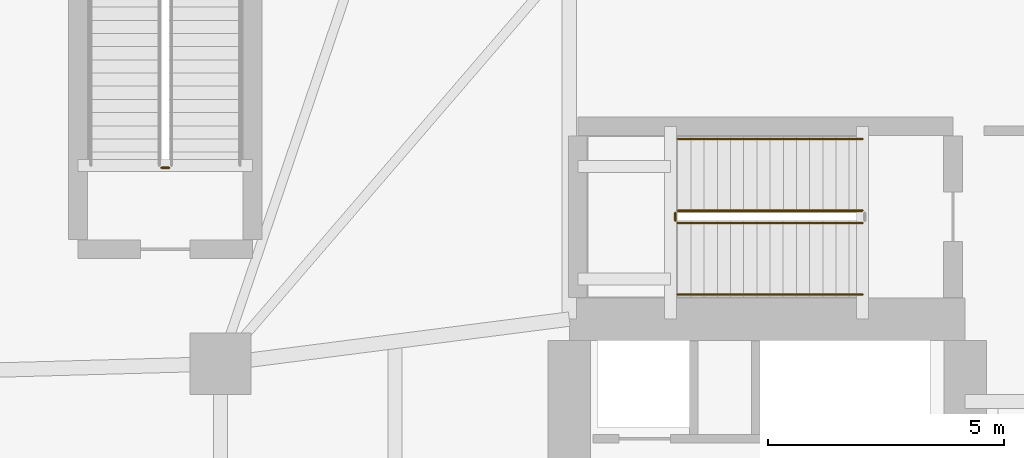
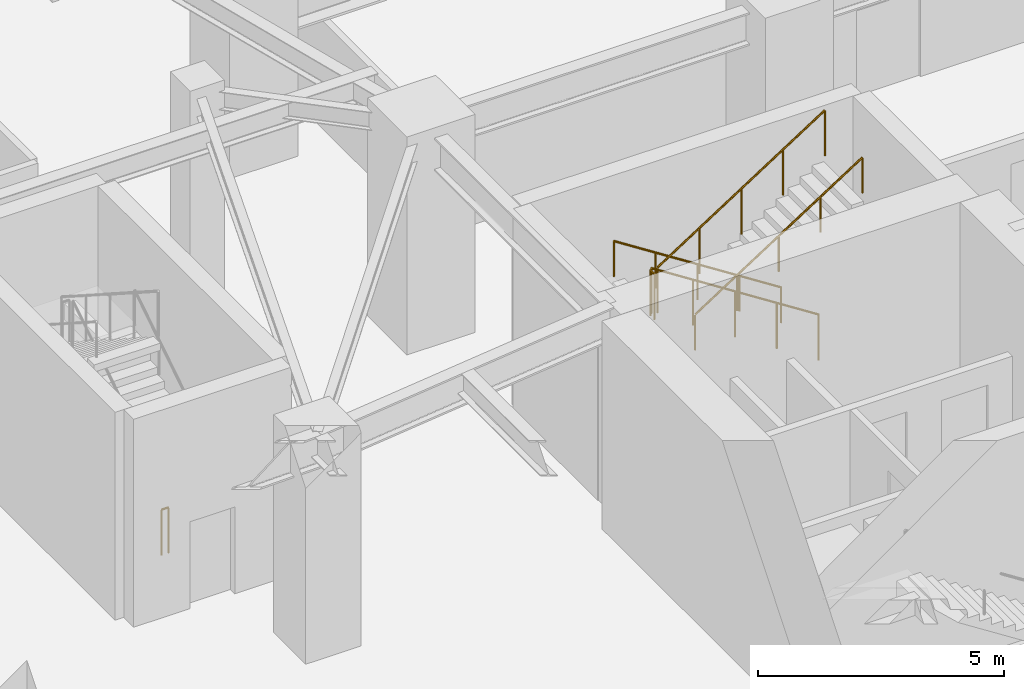
# One storey, part 20 of 24: 6 railings.
"""IFC4 building model written with IfcOpenShell, lengths in metres."""

from ifc_helpers import new_model, si_unit, direction, frame, origin, origin_2d, place, context, subcontext, project, spatial, circle, extrude, material, type_object, element, save


model = new_model("IFC4")

# Units and contexts
model_context = context("Model", 3, precision=1e-05, world=origin(), true_north=direction((0.0, 1.0)))
body_context = subcontext(model_context, "Body", "Model", "MODEL_VIEW")
ifc_project = project(units=[si_unit("LENGTHUNIT", "METRE"), si_unit("AREAUNIT", "SQUARE_METRE"), si_unit("VOLUMEUNIT", "CUBIC_METRE"), si_unit("PLANEANGLEUNIT", "RADIAN"), si_unit("MASSUNIT", "GRAM", prefix="KILO")], contexts=[model_context])

# Site, building, storey
site_placement = place(None, origin())
site = spatial("IfcSite", under=ifc_project, at=site_placement, CompositionType="ELEMENT")
building_placement = place(site_placement, origin())
building = spatial("IfcBuilding", under=site, at=building_placement, Name="Qingluan Cross Belvedere", CompositionType="ELEMENT")
storey_placement = place(building_placement, origin())
storey = spatial("IfcBuildingStorey", under=building, at=storey_placement, Name="L01", CompositionType="ELEMENT", Elevation=0.0)

# Railings
ifc_material_1 = material(Name="Brushed stainless steel tubular handrail", Category="steel")
railing_type_1 = type_object("IfcRailingType", Name="StairPitchHandrail_900", PredefinedType="HANDRAIL", material=ifc_material_1)
railing_1_placement = place(storey_placement, frame((-6.179931640625, 8.77001953125, 0.179931640625)))
element("IfcRailing", 1, at=railing_1_placement, inside=storey, type_object=railing_type_1, Name="L01 ST3 stair handrail 1", PredefinedType="HANDRAIL", context=body_context, shape_type="SweptSolid", body=[
    extrude(circle(Radius=0.02392578125, at=origin_2d()), frame((0.0, 0.0, 0.8759765625), z_axis=(-0.841186985886, 0.0, 0.540744352514), x_axis=(0.0, -1.0, 0.0)), (0.0, 0.0, 1.0), 4.660400390625),
    extrude(circle(Radius=0.02099609375, at=origin_2d()), origin(), (0.0, 0.0, 1.0), 0.851806640625),
    extrude(circle(Radius=0.02099609375, at=origin_2d()), frame((-0.97998046875, 0.0, 0.6298828125)), (0.0, 0.0, 1.0), 0.851806640625),
    extrude(circle(Radius=0.02099609375, at=origin_2d()), frame((-1.9599609375, 0.0, 1.260009765625)), (0.0, 0.0, 1.0), 0.851806640625),
    extrude(circle(Radius=0.02099609375, at=origin_2d()), frame((-2.940185546875, 0.0, 1.89013671875)), (0.0, 0.0, 1.0), 0.851806640625),
    extrude(circle(Radius=0.02099609375, at=origin_2d()), frame((-3.920166015625, 0.0, 2.52001953125)), (0.0, 0.0, 1.0), 0.851806640625),
])
railing_2_placement = place(storey_placement, frame((-10.10009765625, 5.469970703125, 2.8798828125)))
element("IfcRailing", 2, at=railing_2_placement, inside=storey, type_object=railing_type_1, Name="L01 ST3 stair handrail 2", PredefinedType="HANDRAIL", context=body_context, shape_type="SweptSolid", body=[
    extrude(circle(Radius=0.02392578125, at=origin_2d()), frame((0.0, 0.0, 0.8759765625), z_axis=(0.841186985886, 0.0, 0.540744352514), x_axis=(0.0, 1.0, 0.0)), (0.0, 0.0, 1.0), 4.660400390625),
    extrude(circle(Radius=0.02099609375, at=origin_2d()), origin(), (0.0, 0.0, 1.0), 0.851806640625),
    extrude(circle(Radius=0.02099609375, at=origin_2d()), frame((0.97998046875, 0.0, 0.6298828125)), (0.0, 0.0, 1.0), 0.851806640625),
    extrude(circle(Radius=0.02099609375, at=origin_2d()), frame((1.9599609375, 0.0, 1.260009765625)), (0.0, 0.0, 1.0), 0.851806640625),
    extrude(circle(Radius=0.02099609375, at=origin_2d()), frame((2.940185546875, 0.0, 1.89013671875)), (0.0, 0.0, 1.0), 0.851806640625),
    extrude(circle(Radius=0.02099609375, at=origin_2d()), frame((3.920166015625, 0.0, 2.52001953125)), (0.0, 0.0, 1.0), 0.851806640625),
])
ifc_material_2 = material(Name="Painted steel stair well guard", Category="steel")
railing_type_2 = type_object("IfcRailingType", Name="StairWellGuard_1150", PredefinedType="BALUSTRADE", material=ifc_material_2)
railing_3_placement = place(storey_placement, frame((-6.179931640625, 7.25, 0.179931640625)))
element("IfcRailing", 3, at=railing_3_placement, inside=storey, type_object=railing_type_2, Name="L01 ST3 stair guard 1", PredefinedType="BALUSTRADE", context=body_context, shape_type="SweptSolid", body=[
    extrude(circle(Radius=0.02392578125, at=origin_2d()), frame((0.0, 0.0, 1.1259765625), z_axis=(-0.841186985886, 0.0, 0.540744352514), x_axis=(0.0, -1.0, 0.0)), (0.0, 0.0, 1.0), 4.660400390625),
    extrude(circle(Radius=0.02099609375, at=origin_2d()), origin(), (0.0, 0.0, 1.0), 1.101806640625),
    extrude(circle(Radius=0.02099609375, at=origin_2d()), frame((-0.97998046875, 0.0, 0.6298828125)), (0.0, 0.0, 1.0), 1.101806640625),
    extrude(circle(Radius=0.02099609375, at=origin_2d()), frame((-1.9599609375, 0.0, 1.260009765625)), (0.0, 0.0, 1.0), 1.101806640625),
    extrude(circle(Radius=0.02099609375, at=origin_2d()), frame((-2.940185546875, 0.0, 1.89013671875)), (0.0, 0.0, 1.0), 1.101806640625),
    extrude(circle(Radius=0.02099609375, at=origin_2d()), frame((-3.920166015625, 0.0, 2.52001953125)), (0.0, 0.0, 1.0), 1.101806640625),
])
railing_4_placement = place(storey_placement, frame((-10.14990234375, 7.199951171875, 2.699951171875)))
element("IfcRailing", 4, at=railing_4_placement, inside=storey, type_object=railing_type_2, Name="L01 ST3 stair guard 2", PredefinedType="BALUSTRADE", context=body_context, shape_type="SweptSolid", body=[
    extrude(circle(Radius=0.02392578125, at=origin_2d()), frame((0.0, 0.0, 1.1259765625), z_axis=(0.0, -1.0, 0.0), x_axis=(1.0, 0.0, 0.0)), (0.0, 0.0, 1.0), 0.159912109375),
    extrude(circle(Radius=0.02099609375, at=origin_2d()), origin(), (0.0, 0.0, 1.0), 1.101806640625),
    extrude(circle(Radius=0.02099609375, at=origin_2d()), frame((0.0, -0.159912109375, 0.0)), (0.0, 0.0, 1.0), 1.101806640625),
])
railing_5_placement = place(storey_placement, frame((-10.10009765625, 6.989990234375, 2.8798828125)))
element("IfcRailing", 5, at=railing_5_placement, inside=storey, type_object=railing_type_2, Name="L01 ST3 stair guard 3", PredefinedType="BALUSTRADE", context=body_context, shape_type="SweptSolid", body=[
    extrude(circle(Radius=0.02392578125, at=origin_2d()), frame((0.0, 0.0, 1.1259765625), z_axis=(0.841186985886, 0.0, 0.540744352514), x_axis=(0.0, 1.0, 0.0)), (0.0, 0.0, 1.0), 4.660400390625),
    extrude(circle(Radius=0.02099609375, at=origin_2d()), origin(), (0.0, 0.0, 1.0), 1.101806640625),
    extrude(circle(Radius=0.02099609375, at=origin_2d()), frame((0.97998046875, 0.0, 0.6298828125)), (0.0, 0.0, 1.0), 1.101806640625),
    extrude(circle(Radius=0.02099609375, at=origin_2d()), frame((1.9599609375, 0.0, 1.260009765625)), (0.0, 0.0, 1.0), 1.101806640625),
    extrude(circle(Radius=0.02099609375, at=origin_2d()), frame((2.940185546875, 0.0, 1.89013671875)), (0.0, 0.0, 1.0), 1.101806640625),
    extrude(circle(Radius=0.02099609375, at=origin_2d()), frame((3.920166015625, 0.0, 2.52001953125)), (0.0, 0.0, 1.0), 1.101806640625),
])
railing_6_placement = place(storey_placement, frame((-20.889892578125, 8.159912109375, 0.0)))
element("IfcRailing", 6, at=railing_6_placement, inside=storey, type_object=railing_type_2, Name="L01 ST5 stair guard 4", PredefinedType="BALUSTRADE", context=body_context, shape_type="SweptSolid", body=[
    extrude(circle(Radius=0.02392578125, at=origin_2d()), frame((0.0, 0.0, 1.1259765625), z_axis=(-1.0, 0.0, 0.0), x_axis=(0.0, -1.0, 0.0)), (0.0, 0.0, 1.0), 0.16015625),
    extrude(circle(Radius=0.02099609375, at=origin_2d()), origin(), (0.0, 0.0, 1.0), 1.101806640625),
    extrude(circle(Radius=0.02099609375, at=origin_2d()), frame((-0.16015625, 0.0, 0.0)), (0.0, 0.0, 1.0), 1.101806640625),
])

save(model, "model.ifc")
